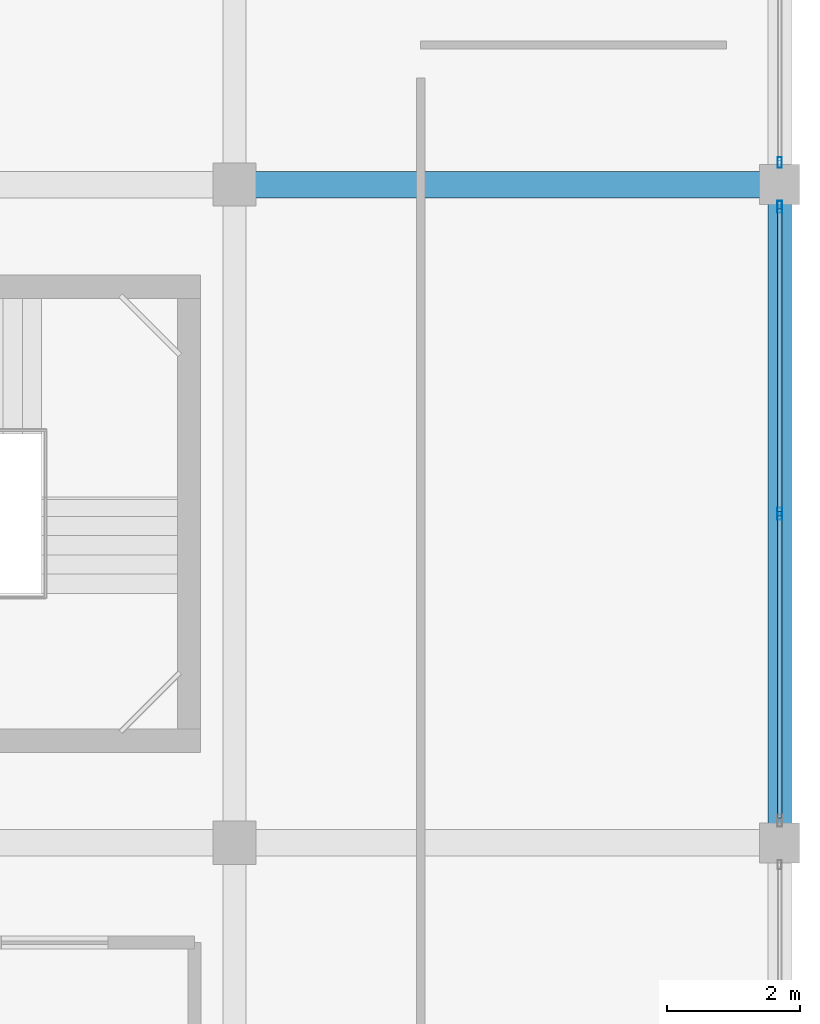
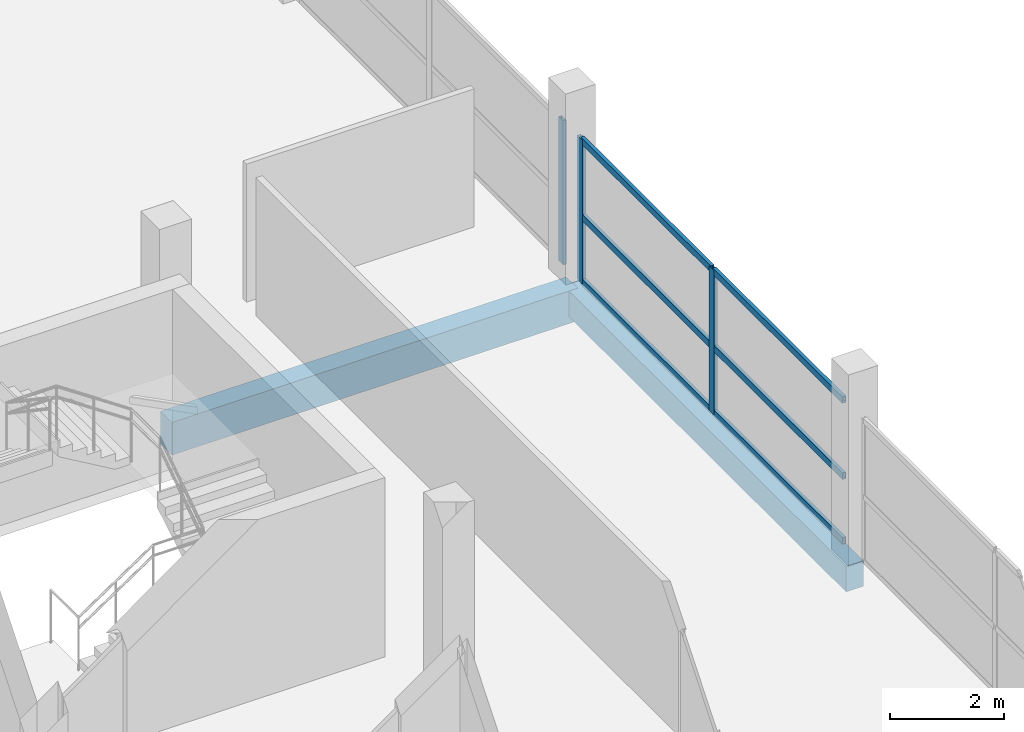
# One storey, part 38 of 70: 9 members, 2 beams, 2 elements without a shape of their own.
"""IFC4 building model written with IfcOpenShell, lengths in metres."""

from ifc_helpers import new_model, si_unit, direction, frame, origin, origin_2d, place, context, subcontext, project, spatial, rectangle, hollow_rectangle, extrude, material, layer, layer_set, material_profile, profile_set, type_object, element, aggregate, save


model = new_model("IFC4")

# Units and contexts
model_context = context("Model", 3, precision=1e-05, world=origin(), true_north=direction((0.0, 1.0)))
body_context = subcontext(model_context, "Body", "Model", "MODEL_VIEW")
ifc_project = project(units=[si_unit("LENGTHUNIT", "METRE"), si_unit("AREAUNIT", "SQUARE_METRE"), si_unit("VOLUMEUNIT", "CUBIC_METRE"), si_unit("PLANEANGLEUNIT", "RADIAN"), si_unit("MASSUNIT", "GRAM", prefix="KILO")], contexts=[model_context])

# Site, building, storey
site_placement = place(None, origin())
site = spatial("IfcSite", under=ifc_project, at=site_placement, CompositionType="ELEMENT")
building_placement = place(site_placement, origin())
building = spatial("IfcBuilding", under=site, at=building_placement, Name="Sillaruma Civic Art Gallery", CompositionType="ELEMENT")
storey_placement = place(building_placement, frame((0.0, 0.0, 66.300048828125)))
storey = spatial("IfcBuildingStorey", under=building, at=storey_placement, Name="L13", CompositionType="ELEMENT", Elevation=66.300048828125)

# Beams
ifc_material_1 = material(Name="Concrete H35 (35 MPa)", Category="concrete")
ifc_material_profile_1 = material_profile(ifc_material_1, rectangle(XDim=0.39990234375, YDim=0.699951171875, at=origin_2d()), Name="RCB400x700")
ifc_profile_set_1 = profile_set([ifc_material_profile_1], Name="Concrete H35 (35 MPa)")
beam_type_1 = type_object("IfcBeamType", Name="BM-BEAM-RCB400x700", PredefinedType="BEAM", material=ifc_profile_set_1)
beam_1_placement = place(storey_placement, frame((106.199951171875, 59.39990234375, -0.580078125), z_axis=(1.0, 0.0, 0.0), x_axis=(0.0, 1.0, 0.0)))
element("IfcBeam", 1, at=beam_1_placement, inside=storey, type_object=beam_type_1, Name="Beam BM-04 (L12:7:M-N)", PredefinedType="BEAM", context=body_context, shape_type="SweptSolid", body=[
    extrude(rectangle(XDim=0.39990234375, YDim=0.699951171875, at=origin_2d()), origin(), (0.0, 0.0, 1.0), 8.199951171875),
])
ifc_material_profile_2 = material_profile(ifc_material_1, rectangle(XDim=0.35009765625, YDim=0.550048828125, at=origin_2d()), Name="RCB350x550")
ifc_profile_set_2 = profile_set([ifc_material_profile_2], Name="Concrete H35 (35 MPa)")
beam_type_2 = type_object("IfcBeamType", Name="BM-SPANDREL-RCB350x550", PredefinedType="SPANDREL", material=ifc_profile_set_2)
beam_2_placement = place(storey_placement, frame((114.39990234375, 49.5, -0.505126953125), z_axis=(0.0, 1.0, 0.0), x_axis=(-1.0, 0.0, 0.0)))
element("IfcBeam", 2, at=beam_2_placement, inside=storey, type_object=beam_type_2, Name="Beam BS-04 (L12:N:6-7)", PredefinedType="SPANDREL", context=body_context, shape_type="SweptSolid", body=[
    extrude(rectangle(XDim=0.35009765625, YDim=0.550048828125, at=origin_2d()), origin(), (0.0, 0.0, 1.0), 9.89990234375),
])

# Curtain wall, member
ifc_material_2 = material(Name="Thermally Broken Extruded Aluminium 6063-T6", Category="aluminium")
ifc_layer_1 = layer(ifc_material_2, 0.159912109375, Name="Thermally Broken Extruded Aluminium 6063-T6")
ifc_layer_set_1 = layer_set([ifc_layer_1], Name="Thermally Broken Extruded Aluminium 6063-T6")
curtain_wall_type_1 = type_object("IfcCurtainWallType", Name="CW-UNI-102", PredefinedType="NOTDEFINED", material=ifc_layer_set_1)
curtain_wall_1_placement = place(storey_placement, origin())
curtain_wall_1 = element("IfcCurtainWall", 3, at=curtain_wall_1_placement, inside=storey, type_object=curtain_wall_type_1, Name="Unitised Curtain Wall CW-102 (CW-L13-EBE-5)", PredefinedType="NOTDEFINED")
ifc_material_profile_3 = material_profile(ifc_material_2, hollow_rectangle(XDim=0.06494140625, YDim=0.159912109375, WallThickness=0.00390625, at=origin_2d()), Name="CWM65x160")
ifc_profile_set_3 = profile_set([ifc_material_profile_3], Name="Thermally Broken Extruded Aluminium 6063-T6")
member_type_1 = type_object("IfcMemberType", Name="MEM-MUL-CWM65x160", PredefinedType="MULLION", material=ifc_profile_set_3)
member_1_placement = place(storey_placement, frame((114.39990234375, 59.732421875, 0.0), z_axis=(0.0, 0.0, 1.0), x_axis=(-1.0, 0.0, 0.0)))
member_1 = element("IfcMember", 4, at=member_1_placement, type_object=member_type_1, Name="CW-102 mullion 1", PredefinedType="MULLION", context=body_context, shape_type="SweptSolid", body=[
    extrude(hollow_rectangle(XDim=0.06494140625, YDim=0.159912109375, WallThickness=0.00390625, at=origin_2d()), origin(), (0.0, 0.0, 1.0), 3.079833984375),
])
aggregate(curtain_wall_1, [member_1])

# Curtain wall, members
ifc_layer_2 = layer(ifc_material_2, 0.179931640625, Name="Thermally Broken Extruded Aluminium 6063-T6")
ifc_layer_set_2 = layer_set([ifc_layer_2], Name="Thermally Broken Extruded Aluminium 6063-T6")
curtain_wall_type_2 = type_object("IfcCurtainWallType", Name="CW-UNI-101", PredefinedType="NOTDEFINED", material=ifc_layer_set_2)
curtain_wall_2_placement = place(storey_placement, origin())
curtain_wall_2 = element("IfcCurtainWall", 5, at=curtain_wall_2_placement, inside=storey, type_object=curtain_wall_type_2, Name="Unitised Curtain Wall CW-101 (CW-L13-EBE-4)", PredefinedType="NOTDEFINED")
ifc_material_profile_4 = material_profile(ifc_material_2, hollow_rectangle(XDim=0.070068359375, YDim=0.179931640625, WallThickness=0.00390625, at=origin_2d()), Name="CWM70x180")
ifc_profile_set_4 = profile_set([ifc_material_profile_4], Name="Thermally Broken Extruded Aluminium 6063-T6")
member_type_2 = type_object("IfcMemberType", Name="MEM-MUL-CWM70x180", PredefinedType="MULLION", material=ifc_profile_set_4)
member_2_placement = place(storey_placement, frame((114.39990234375, 54.449951171875, 0.0), z_axis=(0.0, 0.0, 1.0), x_axis=(-1.0, 0.0, 0.0)))
member_2 = element("IfcMember", 6, at=member_2_placement, type_object=member_type_2, Name="CW-101 mullion 2", PredefinedType="MULLION", context=body_context, shape_type="SweptSolid", body=[
    extrude(hollow_rectangle(XDim=0.070068359375, YDim=0.179931640625, WallThickness=0.00390625, at=origin_2d()), origin(), (0.0, 0.0, 1.0), 3.079833984375),
])
member_3_placement = place(storey_placement, frame((114.39990234375, 59.06494140625, 0.0), z_axis=(0.0, 0.0, 1.0), x_axis=(-1.0, 0.0, 0.0)))
member_3 = element("IfcMember", 7, at=member_3_placement, type_object=member_type_2, Name="CW-101 mullion 3", PredefinedType="MULLION", context=body_context, shape_type="SweptSolid", body=[
    extrude(hollow_rectangle(XDim=0.070068359375, YDim=0.179931640625, WallThickness=0.00390625, at=origin_2d()), origin(), (0.0, 0.0, 1.0), 3.079833984375),
])
ifc_material_profile_5 = material_profile(ifc_material_2, hollow_rectangle(XDim=0.070068359375, YDim=0.139892578125, WallThickness=0.00390625, at=origin_2d()), Name="CWT70x140")
ifc_profile_set_5 = profile_set([ifc_material_profile_5], Name="Thermally Broken Extruded Aluminium 6063-T6")
member_type_3 = type_object("IfcMemberType", Name="MEM-TRN-CWT70x140", PredefinedType="USERDEFINED", material=ifc_profile_set_5)
member_4_placement = place(storey_placement, frame((114.39990234375, 49.8701171875, 0.034912109375), z_axis=(0.0, 1.0, 0.0), x_axis=(-1.0, 0.0, 0.0)))
member_4 = element("IfcMember", 8, at=member_4_placement, type_object=member_type_3, Name="CW-101 transom 1.1", ObjectType="TRANSOM", PredefinedType="USERDEFINED", context=body_context, shape_type="SweptSolid", body=[
    extrude(hollow_rectangle(XDim=0.070068359375, YDim=0.139892578125, WallThickness=0.00390625, at=origin_2d()), origin(), (0.0, 0.0, 1.0), 4.544921875),
])
member_5_placement = place(storey_placement, frame((114.39990234375, 49.8701171875, 1.416748046875), z_axis=(0.0, 1.0, 0.0), x_axis=(-1.0, 0.0, 0.0)))
member_5 = element("IfcMember", 9, at=member_5_placement, type_object=member_type_3, Name="CW-101 transom 1.2", ObjectType="TRANSOM", PredefinedType="USERDEFINED", context=body_context, shape_type="SweptSolid", body=[
    extrude(hollow_rectangle(XDim=0.070068359375, YDim=0.139892578125, WallThickness=0.00390625, at=origin_2d()), origin(), (0.0, 0.0, 1.0), 4.544921875),
])
member_6_placement = place(storey_placement, frame((114.39990234375, 49.8701171875, 3.044921875), z_axis=(0.0, 1.0, 0.0), x_axis=(-1.0, 0.0, 0.0)))
member_6 = element("IfcMember", 10, at=member_6_placement, type_object=member_type_3, Name="CW-101 transom 1.3", ObjectType="TRANSOM", PredefinedType="USERDEFINED", context=body_context, shape_type="SweptSolid", body=[
    extrude(hollow_rectangle(XDim=0.070068359375, YDim=0.139892578125, WallThickness=0.00390625, at=origin_2d()), origin(), (0.0, 0.0, 1.0), 4.544921875),
])
member_7_placement = place(storey_placement, frame((114.39990234375, 54.485107421875, 0.034912109375), z_axis=(0.0, 1.0, 0.0), x_axis=(-1.0, 0.0, 0.0)))
member_7 = element("IfcMember", 11, at=member_7_placement, type_object=member_type_3, Name="CW-101 transom 2.1", ObjectType="TRANSOM", PredefinedType="USERDEFINED", context=body_context, shape_type="SweptSolid", body=[
    extrude(hollow_rectangle(XDim=0.070068359375, YDim=0.139892578125, WallThickness=0.00390625, at=origin_2d()), origin(), (0.0, 0.0, 1.0), 4.544921875),
])
member_8_placement = place(storey_placement, frame((114.39990234375, 54.485107421875, 1.416748046875), z_axis=(0.0, 1.0, 0.0), x_axis=(-1.0, 0.0, 0.0)))
member_8 = element("IfcMember", 12, at=member_8_placement, type_object=member_type_3, Name="CW-101 transom 2.2", ObjectType="TRANSOM", PredefinedType="USERDEFINED", context=body_context, shape_type="SweptSolid", body=[
    extrude(hollow_rectangle(XDim=0.070068359375, YDim=0.139892578125, WallThickness=0.00390625, at=origin_2d()), origin(), (0.0, 0.0, 1.0), 4.544921875),
])
member_9_placement = place(storey_placement, frame((114.39990234375, 54.485107421875, 3.044921875), z_axis=(0.0, 1.0, 0.0), x_axis=(-1.0, 0.0, 0.0)))
member_9 = element("IfcMember", 13, at=member_9_placement, type_object=member_type_3, Name="CW-101 transom 2.3", ObjectType="TRANSOM", PredefinedType="USERDEFINED", context=body_context, shape_type="SweptSolid", body=[
    extrude(hollow_rectangle(XDim=0.070068359375, YDim=0.139892578125, WallThickness=0.00390625, at=origin_2d()), origin(), (0.0, 0.0, 1.0), 4.544921875),
])
aggregate(curtain_wall_2, [member_2, member_3, member_4, member_5, member_6, member_7, member_8, member_9])

save(model, "model.ifc")
